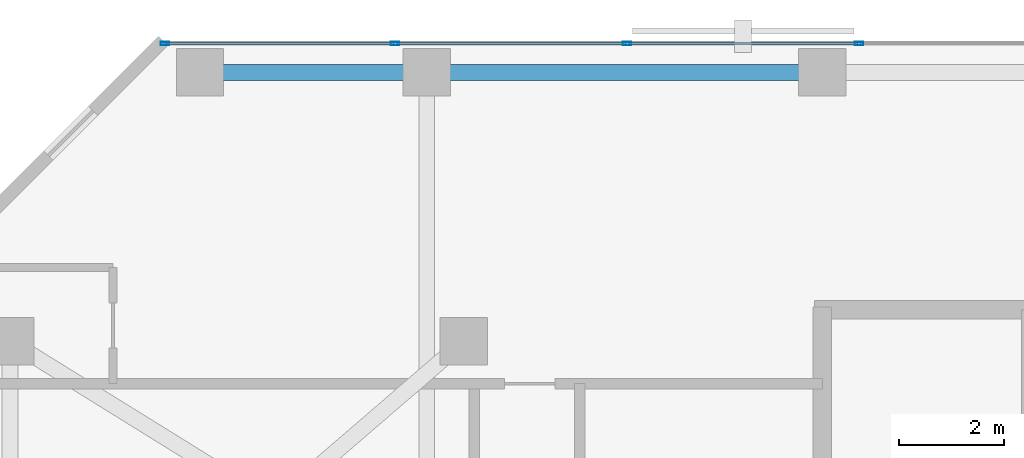
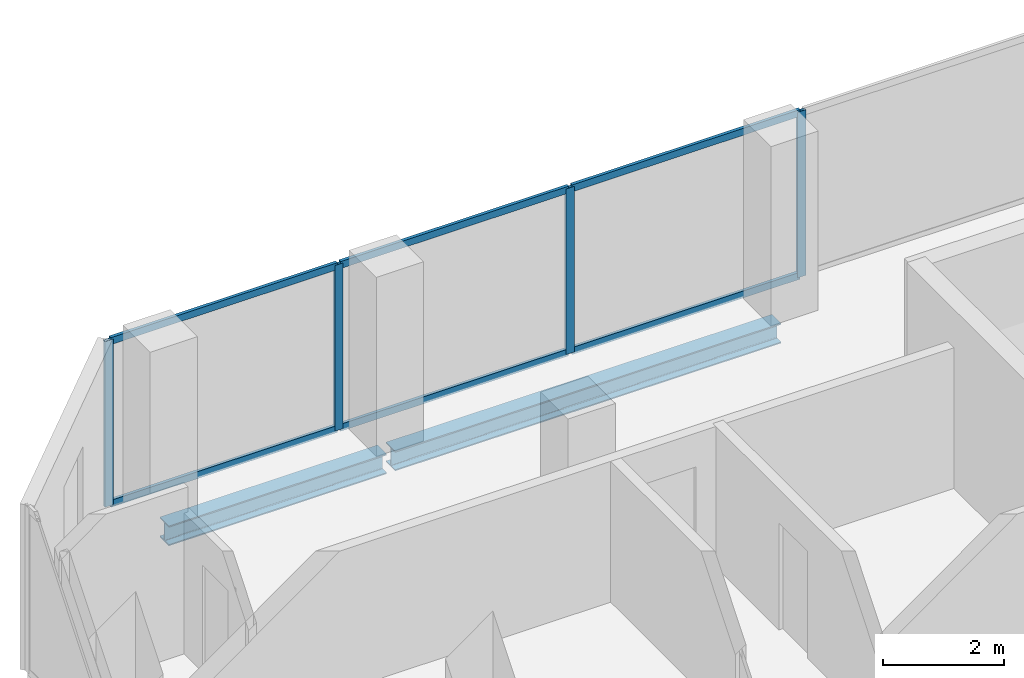
# One storey, part 19 of 34: 10 members, 2 beams, 1 element without a shape of its own.
"""IFC4 building model written with IfcOpenShell, lengths in metres."""

from ifc_helpers import new_model, si_unit, direction, frame, origin, origin_2d, place, context, subcontext, project, spatial, hollow_rectangle, i_section, extrude, material, layer, layer_set, material_profile, profile_set, type_object, element, aggregate, save


model = new_model("IFC4")

# Units and contexts
model_context = context("Model", 3, precision=1e-05, world=origin(), true_north=direction((0.0, 1.0)))
body_context = subcontext(model_context, "Body", "Model", "MODEL_VIEW")
ifc_project = project(units=[si_unit("LENGTHUNIT", "METRE"), si_unit("AREAUNIT", "SQUARE_METRE"), si_unit("VOLUMEUNIT", "CUBIC_METRE"), si_unit("PLANEANGLEUNIT", "RADIAN"), si_unit("MASSUNIT", "GRAM", prefix="KILO")], contexts=[model_context])

# Site, building, storey
site_placement = place(None, origin())
site = spatial("IfcSite", under=ifc_project, at=site_placement, CompositionType="ELEMENT")
building_placement = place(site_placement, origin())
building = spatial("IfcBuilding", under=site, at=building_placement, Name="Catumbela Crestline Tower", CompositionType="ELEMENT")
storey_placement = place(building_placement, frame((0.0, 0.0, 93.6)))
storey = spatial("IfcBuildingStorey", under=building, at=storey_placement, Name="L23", CompositionType="ELEMENT", Elevation=93.6)

# Curtain wall, members
ifc_material_1 = material(Name="Aluminium alloy AW-6060-T66", Category="aluminium")
ifc_layer = layer(ifc_material_1, 0.18, Name="Aluminium alloy AW-6060-T66")
ifc_layer_set = layer_set([ifc_layer], Name="Aluminium alloy AW-6060-T66")
curtain_wall_type = type_object("IfcCurtainWallType", Name="CWU-Z2", PredefinedType="USERDEFINED", material=ifc_layer_set)
curtain_wall_placement = place(storey_placement, origin())
curtain_wall = element("IfcCurtainWall", 1, at=curtain_wall_placement, inside=storey, type_object=curtain_wall_type, Name="L23 Unitised Curtain Wall CW-L23-E7S1", ObjectType="UNITISED", PredefinedType="USERDEFINED")
ifc_material_profile_1 = material_profile(ifc_material_1, hollow_rectangle(XDim=0.06, YDim=0.16, WallThickness=0.004, at=origin_2d()), Name="ALU 160x60x4")
ifc_profile_set_1 = profile_set([ifc_material_profile_1], Name="Aluminium alloy AW-6060-T66")
member_type_1 = type_object("IfcMemberType", Name="MUL-160X60", PredefinedType="MULLION", material=ifc_profile_set_1)
member_1_placement = place(storey_placement, frame((16.7, 47.95, 0.0), z_axis=(0.0, 0.0, 1.0), x_axis=(0.0, -1.0, 0.0)))
member_1 = element("IfcMember", 2, at=member_1_placement, type_object=member_type_1, Name="CWU-Z2 mullion 8", PredefinedType="MULLION", context=body_context, shape_type="SweptSolid", body=[
    extrude(hollow_rectangle(XDim=0.06, YDim=0.16, WallThickness=0.004, at=origin_2d()), origin(), (0.0, 0.0, 1.0), 3.33),
])
member_2_placement = place(storey_placement, frame((12.3, 47.95, 0.0), z_axis=(0.0, 0.0, 1.0), x_axis=(0.0, -1.0, 0.0)))
member_2 = element("IfcMember", 3, at=member_2_placement, type_object=member_type_1, Name="CWU-Z2 mullion 9", PredefinedType="MULLION", context=body_context, shape_type="SweptSolid", body=[
    extrude(hollow_rectangle(XDim=0.06, YDim=0.16, WallThickness=0.004, at=origin_2d()), origin(), (0.0, 0.0, 1.0), 3.33),
])
member_3_placement = place(storey_placement, frame((7.9, 47.95, 0.0), z_axis=(0.0, 0.0, 1.0), x_axis=(0.0, -1.0, 0.0)))
member_3 = element("IfcMember", 4, at=member_3_placement, type_object=member_type_1, Name="CWU-Z2 mullion 10", PredefinedType="MULLION", context=body_context, shape_type="SweptSolid", body=[
    extrude(hollow_rectangle(XDim=0.06, YDim=0.16, WallThickness=0.004, at=origin_2d()), origin(), (0.0, 0.0, 1.0), 3.33),
])
member_4_placement = place(storey_placement, frame((3.5325, 47.95, 0.0), z_axis=(0.0, 0.0, 1.0), x_axis=(0.0, -1.0, 0.0)))
member_4 = element("IfcMember", 5, at=member_4_placement, type_object=member_type_1, Name="CWU-Z2 mullion 11", PredefinedType="MULLION", context=body_context, shape_type="SweptSolid", body=[
    extrude(hollow_rectangle(XDim=0.06, YDim=0.16, WallThickness=0.004, at=origin_2d()), origin(), (0.0, 0.0, 1.0), 3.33),
])

# Beams
ifc_material_2 = material(Name="Structural steel S355J2", Category="steel")
ifc_material_profile_2 = material_profile(ifc_material_2, i_section(OverallWidth=0.3, OverallDepth=0.4, WebThickness=0.0135, FlangeThickness=0.024, FilletRadius=0.027, at=origin_2d()), Name="HEB 400")
ifc_profile_set_2 = profile_set([ifc_material_profile_2], Name="Structural steel S355J2")
beam_type = type_object("IfcBeamType", Name="BS-HEB400", PredefinedType="SPANDREL", material=ifc_profile_set_2)
beam_1_placement = place(storey_placement, frame((4.28, 47.4, -0.46), z_axis=(1.0, 0.0, 0.0), x_axis=(0.0, 1.0, 0.0)))
element("IfcBeam", 6, at=beam_1_placement, inside=storey, type_object=beam_type, Name="L23 Spandrel SP-L23-NF17", PredefinedType="SPANDREL", context=body_context, shape_type="SweptSolid", body=[
    extrude(i_section(OverallWidth=0.3, OverallDepth=0.4, WebThickness=0.0135, FlangeThickness=0.024, FilletRadius=0.027, at=origin_2d()), origin(), (0.0, 0.0, 1.0), 4.14),
])
beam_2_placement = place(storey_placement, frame((8.58, 47.4, -0.46), z_axis=(1.0, 0.0, 0.0), x_axis=(0.0, 1.0, 0.0)))
element("IfcBeam", 7, at=beam_2_placement, inside=storey, type_object=beam_type, Name="L23 Spandrel SP-L23-NF18", PredefinedType="SPANDREL", context=body_context, shape_type="SweptSolid", body=[
    extrude(i_section(OverallWidth=0.3, OverallDepth=0.4, WebThickness=0.0135, FlangeThickness=0.024, FilletRadius=0.027, at=origin_2d()), origin(), (0.0, 0.0, 1.0), 7.34),
])

# Member
ifc_material_profile_3 = material_profile(ifc_material_1, hollow_rectangle(XDim=0.06, YDim=0.14, WallThickness=0.004, at=origin_2d()), Name="ALU 140x60x4")
ifc_profile_set_3 = profile_set([ifc_material_profile_3], Name="Aluminium alloy AW-6060-T66")
member_type_2 = type_object("IfcMemberType", Name="TRN-140X60", PredefinedType="USERDEFINED", material=ifc_profile_set_3)
member_5_placement = place(storey_placement, frame((16.6675, 47.95, 0.03), z_axis=(-1.0, 0.0, 0.0), x_axis=(0.0, -1.0, 0.0)))
member_5 = element("IfcMember", 8, at=member_5_placement, type_object=member_type_2, Name="CWU-Z2 transom 8.1", ObjectType="TRANSOM", PredefinedType="USERDEFINED", context=body_context, shape_type="SweptSolid", body=[
    extrude(hollow_rectangle(XDim=0.06, YDim=0.14, WallThickness=0.004, at=origin_2d()), origin(), (0.0, 0.0, 1.0), 4.335),
])

member_6_placement = place(storey_placement, frame((16.6675, 47.95, 3.3), z_axis=(-1.0, 0.0, 0.0), x_axis=(0.0, -1.0, 0.0)))
member_6 = element("IfcMember", 9, at=member_6_placement, type_object=member_type_2, Name="CWU-Z2 transom 8.2", ObjectType="TRANSOM", PredefinedType="USERDEFINED", context=body_context, shape_type="SweptSolid", body=[
    extrude(hollow_rectangle(XDim=0.06, YDim=0.14, WallThickness=0.004, at=origin_2d()), origin(), (0.0, 0.0, 1.0), 4.335),
])

member_7_placement = place(storey_placement, frame((12.2675, 47.95, 0.03), z_axis=(-1.0, 0.0, 0.0), x_axis=(0.0, -1.0, 0.0)))
member_7 = element("IfcMember", 10, at=member_7_placement, type_object=member_type_2, Name="CWU-Z2 transom 9.1", ObjectType="TRANSOM", PredefinedType="USERDEFINED", context=body_context, shape_type="SweptSolid", body=[
    extrude(hollow_rectangle(XDim=0.06, YDim=0.14, WallThickness=0.004, at=origin_2d()), origin(), (0.0, 0.0, 1.0), 4.335),
])

member_8_placement = place(storey_placement, frame((12.2675, 47.95, 3.3), z_axis=(-1.0, 0.0, 0.0), x_axis=(0.0, -1.0, 0.0)))
member_8 = element("IfcMember", 11, at=member_8_placement, type_object=member_type_2, Name="CWU-Z2 transom 9.2", ObjectType="TRANSOM", PredefinedType="USERDEFINED", context=body_context, shape_type="SweptSolid", body=[
    extrude(hollow_rectangle(XDim=0.06, YDim=0.14, WallThickness=0.004, at=origin_2d()), origin(), (0.0, 0.0, 1.0), 4.335),
])

member_9_placement = place(storey_placement, frame((7.8675, 47.95, 0.03), z_axis=(-1.0, 0.0, 0.0), x_axis=(0.0, -1.0, 0.0)))
member_9 = element("IfcMember", 12, at=member_9_placement, type_object=member_type_2, Name="CWU-Z2 transom 10.1", ObjectType="TRANSOM", PredefinedType="USERDEFINED", context=body_context, shape_type="SweptSolid", body=[
    extrude(hollow_rectangle(XDim=0.06, YDim=0.14, WallThickness=0.004, at=origin_2d()), origin(), (0.0, 0.0, 1.0), 4.3025),
])

member_10_placement = place(storey_placement, frame((7.8675, 47.95, 3.3), z_axis=(-1.0, 0.0, 0.0), x_axis=(0.0, -1.0, 0.0)))
member_10 = element("IfcMember", 13, at=member_10_placement, type_object=member_type_2, Name="CWU-Z2 transom 10.2", ObjectType="TRANSOM", PredefinedType="USERDEFINED", context=body_context, shape_type="SweptSolid", body=[
    extrude(hollow_rectangle(XDim=0.06, YDim=0.14, WallThickness=0.004, at=origin_2d()), origin(), (0.0, 0.0, 1.0), 4.3025),
])

aggregate(curtain_wall, [member_1, member_2, member_3, member_4, member_5, member_6, member_7, member_8, member_9, member_10])

save(model, "model.ifc")
